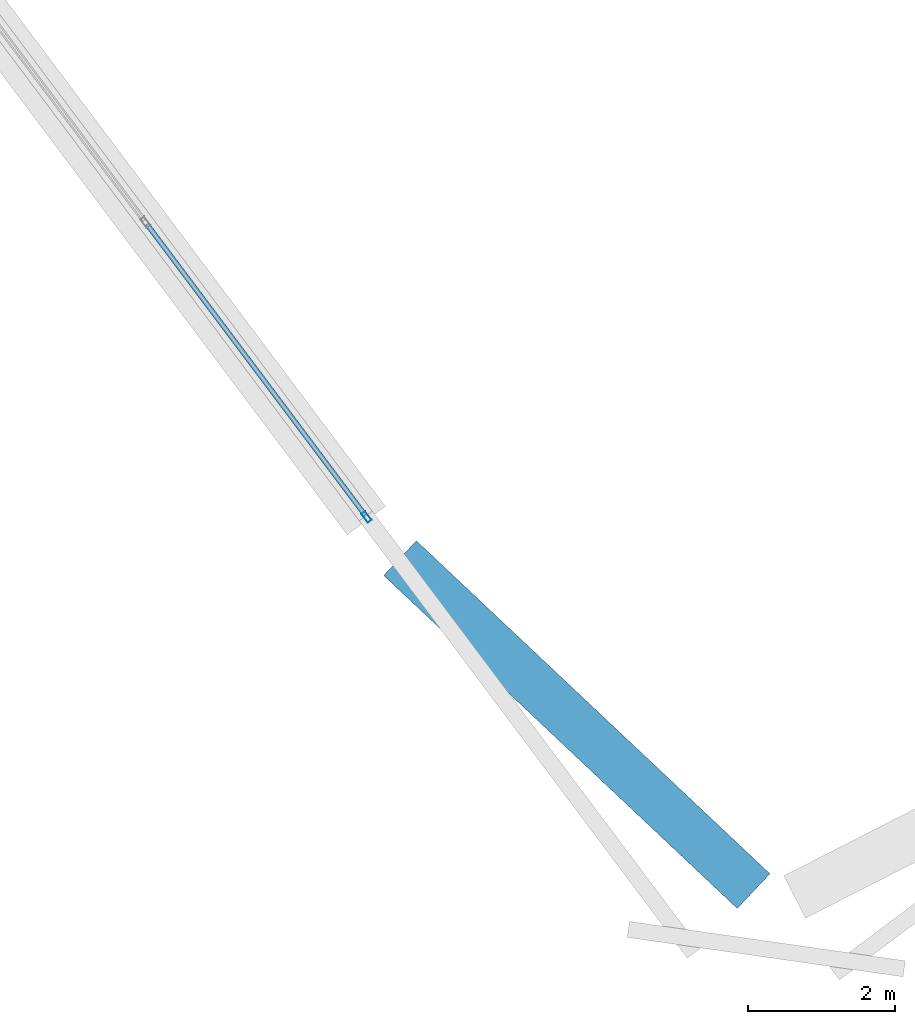
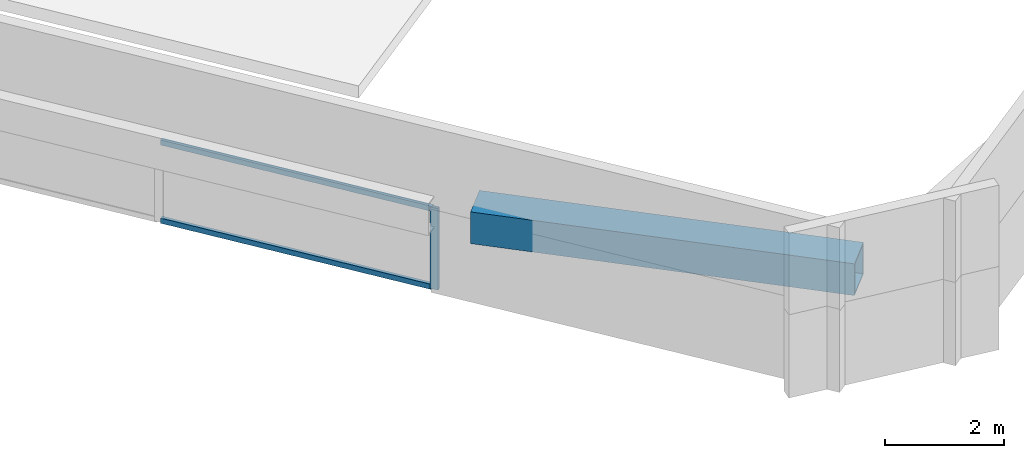
# One storey, part 15 of 31: 3 members, 1 beam, 1 element without a shape of its own.
"""IFC4 building model written with IfcOpenShell, lengths in metres."""

from ifc_helpers import new_model, si_unit, direction, frame, origin, origin_2d, place, context, subcontext, project, spatial, hollow_rectangle, extrude, material, material_profile, profile_set, type_object, element, aggregate, save


model = new_model("IFC4")

# Units and contexts
model_context = context("Model", 3, precision=1e-05, world=origin(), true_north=direction((0.0, 1.0)))
body_context = subcontext(model_context, "Body", "Model", "MODEL_VIEW")
ifc_project = project(units=[si_unit("LENGTHUNIT", "METRE"), si_unit("AREAUNIT", "SQUARE_METRE"), si_unit("VOLUMEUNIT", "CUBIC_METRE"), si_unit("PLANEANGLEUNIT", "RADIAN"), si_unit("MASSUNIT", "GRAM", prefix="KILO")], contexts=[model_context])

# Site, building, storey
site_placement = place(None, origin())
site = spatial("IfcSite", under=ifc_project, at=site_placement, CompositionType="ELEMENT")
building_placement = place(site_placement, origin())
building = spatial("IfcBuilding", under=site, at=building_placement, Name="Tashvorn Skyway Center", CompositionType="ELEMENT")
storey_placement = place(building_placement, frame((0.0, 0.0, 266.949951171875)))
storey = spatial("IfcBuildingStorey", under=building, at=storey_placement, Name="L72", CompositionType="ELEMENT", Elevation=266.949951171875)

# Beam
ifc_material_1 = material(Name="Steel ASTM A572 Grade 50", Category="steel")
ifc_material_profile_1 = material_profile(ifc_material_1, hollow_rectangle(XDim=0.64990234375, YDim=0.64990234375, WallThickness=0.02490234375, at=origin_2d()), Name="BOX650x650x25")
ifc_profile_set_1 = profile_set([ifc_material_profile_1], Name="Steel ASTM A572 Grade 50")
beam_type = type_object("IfcBeamType", Name="BM-BEAM-BOX650x650x25", PredefinedType="BEAM", material=ifc_profile_set_1)
beam_placement = place(storey_placement, frame((106.4111328125, 19.133544921875, 3.08349609375), z_axis=(0.727983344677, -0.685594814649, 0.0), x_axis=(0.685594814649, 0.727983344677, 0.0)))
element("IfcBeam", 1, at=beam_placement, inside=storey, type_object=beam_type, Name="CROWN FRAME Tower 2 Upper-Tier Ring Beam 12", PredefinedType="BEAM", context=body_context, shape_type="SweptSolid", body=[
    extrude(hollow_rectangle(XDim=0.64990234375, YDim=0.64990234375, WallThickness=0.02490234375, at=origin_2d()), origin(), (0.0, 0.0, 1.0), 6.61767578125),
])

# Curtain wall, members
ifc_material_2 = material(Name="Thermally broken bronze-anodized aluminium 6063-T6", Category="aluminium")
curtain_wall_type = type_object("IfcCurtainWallType", Name="CW-CW-SKY", PredefinedType="NOTDEFINED", material=ifc_material_2)
curtain_wall_placement = place(storey_placement, origin())
curtain_wall = element("IfcCurtainWall", 2, at=curtain_wall_placement, inside=storey, type_object=curtain_wall_type, Name="CROWN Lantern Fritted Curtain Wall T2 W-4", PredefinedType="NOTDEFINED")
ifc_material_profile_2 = material_profile(ifc_material_2, hollow_rectangle(XDim=0.06494140625, YDim=0.14990234375, WallThickness=0.00390625, at=origin_2d()), Name="ALU-MULL-65x150")
ifc_profile_set_2 = profile_set([ifc_material_profile_2], Name="Thermally broken bronze-anodized aluminium 6063-T6")
member_type_1 = type_object("IfcMemberType", Name="CWM-CW-SKY", PredefinedType="MULLION", material=ifc_profile_set_2)
member_1_placement = place(storey_placement, frame((105.95458984375, 19.694091796875, 1.445068359375), z_axis=(0.0, 0.0, 1.0), x_axis=(-0.799999999998, -0.600000000002, 0.0)))
member_1 = element("IfcMember", 3, at=member_1_placement, type_object=member_type_1, Name="CW-SKY mullion 1", PredefinedType="MULLION", context=body_context, shape_type="SweptSolid", body=[
    extrude(hollow_rectangle(XDim=0.06494140625, YDim=0.14990234375, WallThickness=0.00390625, at=origin_2d()), origin(), (0.0, 0.0, 1.0), 1.6650390625),
])
ifc_material_profile_3 = material_profile(ifc_material_2, hollow_rectangle(XDim=0.06494140625, YDim=0.10498046875, WallThickness=0.00390625, at=origin_2d()), Name="ALU-TRAN-65x105")
ifc_profile_set_3 = profile_set([ifc_material_profile_3], Name="Thermally broken bronze-anodized aluminium 6063-T6")
member_type_2 = type_object("IfcMemberType", Name="CWT-CW-SKY", PredefinedType="USERDEFINED", material=ifc_profile_set_3)
member_2_placement = place(storey_placement, frame((105.93505859375, 19.719970703125, 1.4775390625), z_axis=(-0.600031549007, 0.799976337273, 0.0), x_axis=(-0.799976337273, -0.600031549007, 0.0)))
member_2 = element("IfcMember", 4, at=member_2_placement, type_object=member_type_2, Name="CW-SKY transom 1.1", ObjectType="TRANSOM", PredefinedType="USERDEFINED", context=body_context, shape_type="SweptSolid", body=[
    extrude(hollow_rectangle(XDim=0.06494140625, YDim=0.10498046875, WallThickness=0.00390625, at=origin_2d()), origin(), (0.0, 0.0, 1.0), 4.95263671875),
])
member_3_placement = place(storey_placement, frame((105.93505859375, 19.719970703125, 3.07763671875), z_axis=(-0.600031549007, 0.799976337273, 0.0), x_axis=(-0.799976337273, -0.600031549007, 0.0)))
member_3 = element("IfcMember", 5, at=member_3_placement, type_object=member_type_2, Name="CW-SKY transom 1.2", ObjectType="TRANSOM", PredefinedType="USERDEFINED", context=body_context, shape_type="SweptSolid", body=[
    extrude(hollow_rectangle(XDim=0.06494140625, YDim=0.10498046875, WallThickness=0.00390625, at=origin_2d()), origin(), (0.0, 0.0, 1.0), 4.95263671875),
])
aggregate(curtain_wall, [member_1, member_2, member_3])

save(model, "model.ifc")
